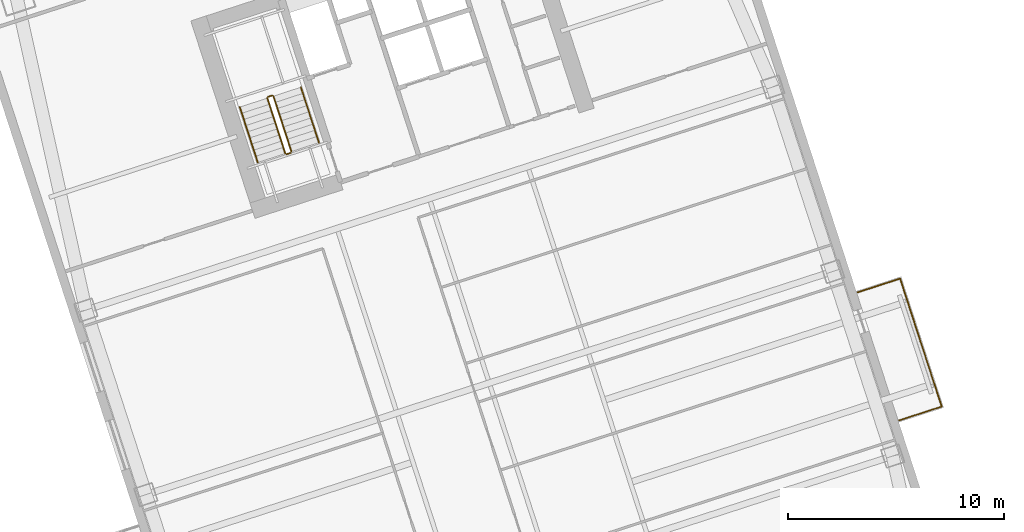
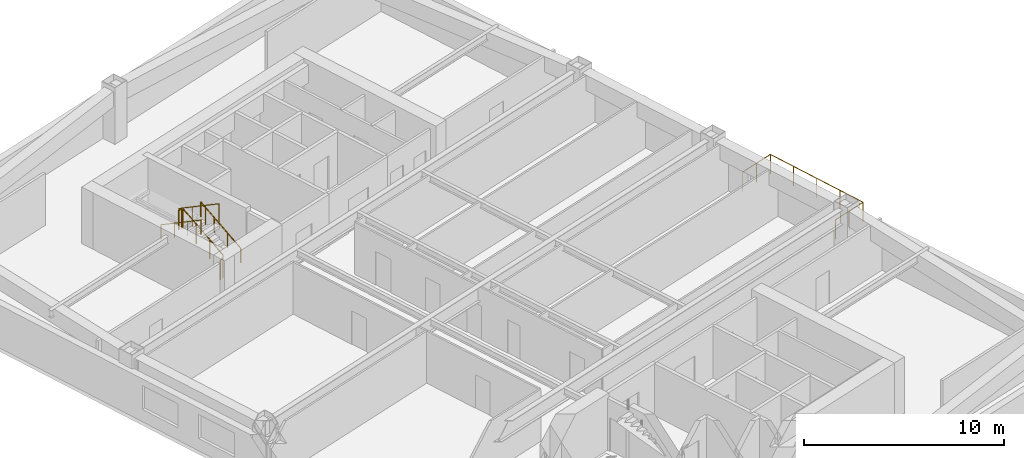
# One storey, part 15 of 15: 7 railings.
"""IFC4 building model written with IfcOpenShell, lengths in metres."""

from ifc_helpers import new_model, si_unit, direction, frame, origin, origin_2d, place, context, subcontext, project, spatial, circle, extrude, material, type_object, element, save


model = new_model("IFC4")

# Units and contexts
model_context = context("Model", 3, precision=1e-05, world=origin(), true_north=direction((0.0, 1.0)))
body_context = subcontext(model_context, "Body", "Model", "MODEL_VIEW")
ifc_project = project(units=[si_unit("LENGTHUNIT", "METRE"), si_unit("AREAUNIT", "SQUARE_METRE"), si_unit("VOLUMEUNIT", "CUBIC_METRE"), si_unit("PLANEANGLEUNIT", "RADIAN"), si_unit("MASSUNIT", "GRAM", prefix="KILO")], contexts=[model_context])

# Site, building, storey
site_placement = place(None, origin())
site = spatial("IfcSite", under=ifc_project, at=site_placement, CompositionType="ELEMENT")
building_placement = place(site_placement, origin())
building = spatial("IfcBuilding", under=site, at=building_placement, Name="Qiaolan Cultural Towers", CompositionType="ELEMENT")
storey_placement = place(building_placement, frame((0.0, 0.0, 81.64990234375)))
storey = spatial("IfcBuildingStorey", under=building, at=storey_placement, Name="L20", CompositionType="ELEMENT", Elevation=81.64990234375)

# Railings
ifc_material_1 = material(Name="Laminated SentryGlas & Stainless Steel S31608 Balustrade", Category="steel")
railing_type_1 = type_object("IfcRailingType", Name="GRD-TERR-1200", PredefinedType="BALUSTRADE", material=ifc_material_1)
railing_1_placement = place(storey_placement, frame((109.014892578125, 32.271240234375, 0.0)))
element("IfcRailing", 1, at=railing_1_placement, inside=storey, type_object=railing_type_1, Name="L20 T2 Tree Balcony Guardrail E", PredefinedType="BALUSTRADE", context=body_context, shape_type="SweptSolid", body=[
    extrude(circle(Radius=0.02392578125, at=origin_2d()), frame((0.0, 0.0, 1.17578125), z_axis=(0.951061799618, 0.309000733507, 0.0), x_axis=(-0.309000733507, 0.951061799618, 0.0)), (0.0, 0.0, 1.0), 2.070068359375),
    extrude(circle(Radius=0.02392578125, at=origin_2d()), frame((1.96875, 0.6396484375, 1.17578125), z_axis=(-0.309047146287, 0.951046718817, 0.0), x_axis=(-0.951046718817, -0.309047146287, 0.0)), (0.0, 0.0, 1.0), 6.239990234375),
    extrude(circle(Radius=0.02392578125, at=origin_2d()), frame((0.040283203125, 6.57421875, 1.17578125), z_axis=(-0.951050536716, -0.309035397023, 0.0), x_axis=(0.309035397023, -0.951050536716, 0.0)), (0.0, 0.0, 1.0), 2.06982421875),
    extrude(circle(Radius=0.02099609375, at=origin_2d()), origin(), (0.0, 0.0, 1.0), 1.15185546875),
    extrude(circle(Radius=0.02099609375, at=origin_2d()), frame((0.984375, 0.31982421875, 0.0)), (0.0, 0.0, 1.0), 1.15185546875),
    extrude(circle(Radius=0.02099609375, at=origin_2d()), frame((1.96875, 0.6396484375, 0.0)), (0.0, 0.0, 1.0), 1.15185546875),
    extrude(circle(Radius=0.02099609375, at=origin_2d()), frame((1.486572265625, 2.123291015625, 0.0)), (0.0, 0.0, 1.0), 1.15185546875),
    extrude(circle(Radius=0.02099609375, at=origin_2d()), frame((1.00439453125, 3.60693359375, 0.0)), (0.0, 0.0, 1.0), 1.15185546875),
    extrude(circle(Radius=0.02099609375, at=origin_2d()), frame((0.5224609375, 5.090576171875, 0.0)), (0.0, 0.0, 1.0), 1.15185546875),
    extrude(circle(Radius=0.02099609375, at=origin_2d()), frame((0.040283203125, 6.57421875, 0.0)), (0.0, 0.0, 1.0), 1.15185546875),
    extrude(circle(Radius=0.02099609375, at=origin_2d()), frame((-0.94384765625, 6.25439453125, 0.0)), (0.0, 0.0, 1.0), 1.15185546875),
    extrude(circle(Radius=0.02099609375, at=origin_2d()), frame((-1.92822265625, 5.9345703125, 0.0)), (0.0, 0.0, 1.0), 1.15185546875),
])
ifc_material_2 = material(Name="Galvanized Painted Steel Stair Guardrail", Category="steel")
railing_type_2 = type_object("IfcRailingType", Name="RL-STAIR-GRD", PredefinedType="GUARDRAIL", material=ifc_material_2)
railing_2_placement = place(storey_placement, frame((80.822021484375, 44.739501953125, 0.172607421875)))
element("IfcRailing", 2, at=railing_2_placement, inside=storey, type_object=railing_type_2, Name="L20 ST-E2 stair guard 1", PredefinedType="GUARDRAIL", context=body_context, shape_type="SweptSolid", body=[
    extrude(circle(Radius=0.02392578125, at=origin_2d()), frame((0.0, 0.0, 1.17578125), z_axis=(-0.26785290645, 0.824488402118, 0.498471358535), x_axis=(-0.951069945308, -0.308975661068, 0.0)), (0.0, 0.0, 1.0), 3.114501953125),
    extrude(circle(Radius=0.02099609375, at=origin_2d()), origin(), (0.0, 0.0, 1.0), 1.15185546875),
    extrude(circle(Radius=0.02099609375, at=origin_2d()), frame((-0.278076171875, 0.85595703125, 0.517578125)), (0.0, 0.0, 1.0), 1.15185546875),
    extrude(circle(Radius=0.02099609375, at=origin_2d()), frame((-0.55615234375, 1.7119140625, 1.034912109375)), (0.0, 0.0, 1.0), 1.15185546875),
    extrude(circle(Radius=0.02099609375, at=origin_2d()), frame((-0.834228515625, 2.56787109375, 1.552490234375)), (0.0, 0.0, 1.0), 1.15185546875),
])
railing_3_placement = place(storey_placement, frame((79.9248046875, 47.33935546875, 1.72509765625)))
element("IfcRailing", 3, at=railing_3_placement, inside=storey, type_object=railing_type_2, Name="L20 ST-E2 stair guard 2", PredefinedType="GUARDRAIL", context=body_context, shape_type="SweptSolid", body=[
    extrude(circle(Radius=0.02392578125, at=origin_2d()), frame((0.0, 0.0, 1.17578125), z_axis=(-0.951096855055, -0.308892816854, 0.0), x_axis=(0.308892816854, -0.951096855055, 0.0)), (0.0, 0.0, 1.0), 0.199951171875),
    extrude(circle(Radius=0.02099609375, at=origin_2d()), origin(), (0.0, 0.0, 1.0), 1.15185546875),
    extrude(circle(Radius=0.02099609375, at=origin_2d()), frame((-0.190185546875, -0.061767578125, 0.0)), (0.0, 0.0, 1.0), 1.15185546875),
])
railing_4_placement = place(storey_placement, frame((79.702392578125, 47.214599609375, 1.897705078125)))
element("IfcRailing", 4, at=railing_4_placement, inside=storey, type_object=railing_type_2, Name="L20 ST-E2 stair guard 3", PredefinedType="GUARDRAIL", context=body_context, shape_type="SweptSolid", body=[
    extrude(circle(Radius=0.02392578125, at=origin_2d()), frame((0.0, 0.0, 1.17578125), z_axis=(0.267925668498, -0.824471088726, 0.498460891159), x_axis=(0.951043371037, 0.309057448393, 0.0)), (0.0, 0.0, 1.0), 3.114501953125),
    extrude(circle(Radius=0.02099609375, at=origin_2d()), origin(), (0.0, 0.0, 1.0), 1.15185546875),
    extrude(circle(Radius=0.02099609375, at=origin_2d()), frame((0.278076171875, -0.85595703125, 0.517578125)), (0.0, 0.0, 1.0), 1.15185546875),
    extrude(circle(Radius=0.02099609375, at=origin_2d()), frame((0.556396484375, -1.7119140625, 1.034912109375)), (0.0, 0.0, 1.0), 1.15185546875),
    extrude(circle(Radius=0.02099609375, at=origin_2d()), frame((0.83447265625, -2.56787109375, 1.552490234375)), (0.0, 0.0, 1.0), 1.15185546875),
])
railing_5_placement = place(storey_placement, frame((80.7900390625, 44.676513671875, 0.0)))
element("IfcRailing", 5, at=railing_5_placement, inside=storey, type_object=railing_type_2, Name="L20 ST-E2 stair guard 4", PredefinedType="GUARDRAIL", context=body_context, shape_type="SweptSolid", body=[
    extrude(circle(Radius=0.02392578125, at=origin_2d()), frame((0.0, 0.0, 1.17578125), z_axis=(-0.951096855055, -0.308892816854, 0.0), x_axis=(0.308892816854, -0.951096855055, 0.0)), (0.0, 0.0, 1.0), 0.199951171875),
    extrude(circle(Radius=0.02099609375, at=origin_2d()), origin(), (0.0, 0.0, 1.0), 1.15185546875),
    extrude(circle(Radius=0.02099609375, at=origin_2d()), frame((-0.190185546875, -0.061767578125, 0.0)), (0.0, 0.0, 1.0), 1.15185546875),
])
ifc_material_3 = material(Name="Stainless Steel S30408 Tubular Handrail", Category="steel")
railing_type_3 = type_object("IfcRailingType", Name="RL-STAIR-HR", PredefinedType="HANDRAIL", material=ifc_material_3)
railing_6_placement = place(storey_placement, frame((82.096435546875, 45.153564453125, 0.172607421875)))
element("IfcRailing", 6, at=railing_6_placement, inside=storey, type_object=railing_type_3, Name="L20 ST-E2 stair handrail 1", PredefinedType="HANDRAIL", context=body_context, shape_type="SweptSolid", body=[
    extrude(circle(Radius=0.02392578125, at=origin_2d()), frame((0.0, 0.0, 0.8759765625), z_axis=(-0.26785290645, 0.824488402118, 0.498471358535), x_axis=(-0.951069945308, -0.308975661068, 0.0)), (0.0, 0.0, 1.0), 3.114501953125),
    extrude(circle(Radius=0.02099609375, at=origin_2d()), origin(), (0.0, 0.0, 1.0), 0.851806640625),
    extrude(circle(Radius=0.02099609375, at=origin_2d()), frame((-0.278076171875, 0.85595703125, 0.517578125)), (0.0, 0.0, 1.0), 0.851806640625),
    extrude(circle(Radius=0.02099609375, at=origin_2d()), frame((-0.55615234375, 1.7119140625, 1.034912109375)), (0.0, 0.0, 1.0), 0.851806640625),
    extrude(circle(Radius=0.02099609375, at=origin_2d()), frame((-0.834228515625, 2.56787109375, 1.552490234375)), (0.0, 0.0, 1.0), 0.851806640625),
])
railing_7_placement = place(storey_placement, frame((78.427978515625, 46.800537109375, 1.897705078125)))
element("IfcRailing", 7, at=railing_7_placement, inside=storey, type_object=railing_type_3, Name="L20 ST-E2 stair handrail 2", PredefinedType="HANDRAIL", context=body_context, shape_type="SweptSolid", body=[
    extrude(circle(Radius=0.02392578125, at=origin_2d()), frame((0.0, 0.0, 0.8759765625), z_axis=(0.267925668498, -0.824471088726, 0.498460891159), x_axis=(0.951043371037, 0.309057448393, 0.0)), (0.0, 0.0, 1.0), 3.114501953125),
    extrude(circle(Radius=0.02099609375, at=origin_2d()), origin(), (0.0, 0.0, 1.0), 0.851806640625),
    extrude(circle(Radius=0.02099609375, at=origin_2d()), frame((0.278076171875, -0.85595703125, 0.517578125)), (0.0, 0.0, 1.0), 0.851806640625),
    extrude(circle(Radius=0.02099609375, at=origin_2d()), frame((0.556396484375, -1.7119140625, 1.034912109375)), (0.0, 0.0, 1.0), 0.851806640625),
    extrude(circle(Radius=0.02099609375, at=origin_2d()), frame((0.83447265625, -2.56787109375, 1.552490234375)), (0.0, 0.0, 1.0), 0.851806640625),
])

save(model, "model.ifc")
